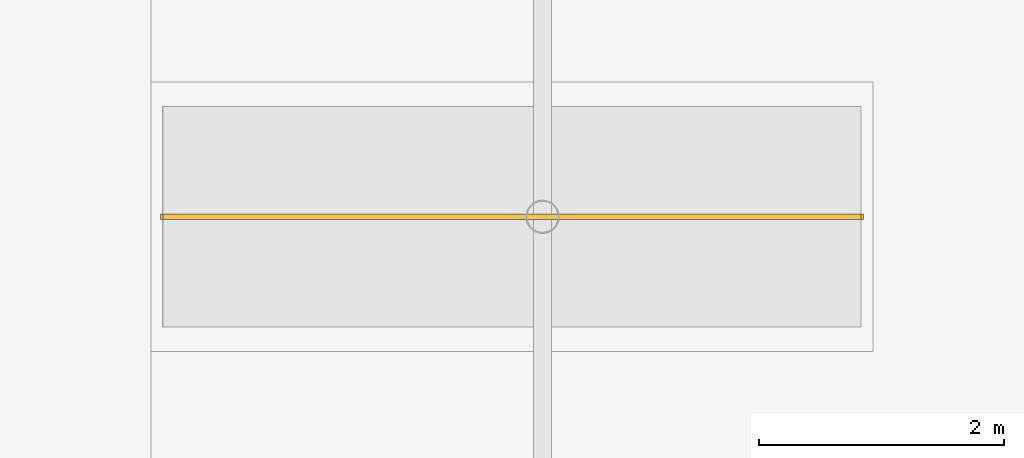
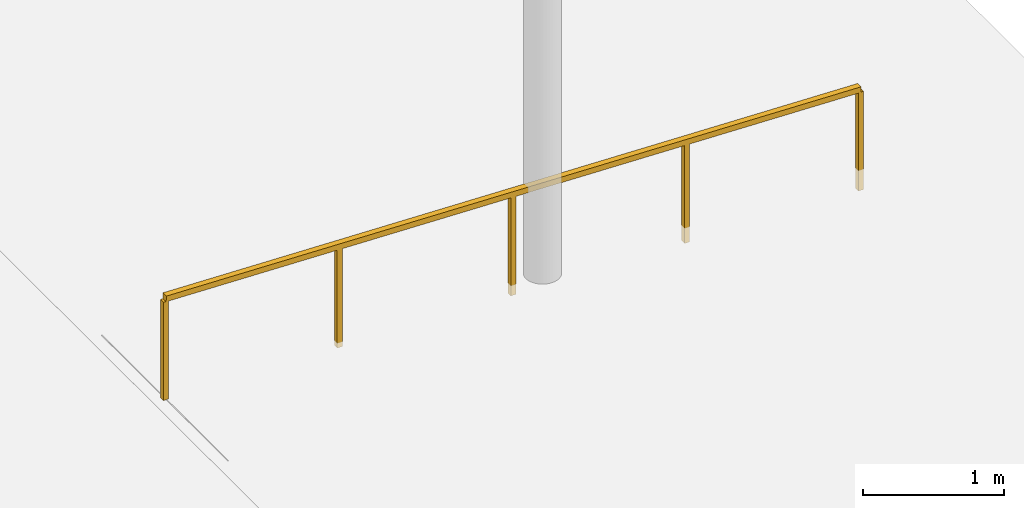
# One storey, part 45 of 49: 1 railing.
"""IFC4 building model written with IfcOpenShell, lengths in metres."""

import ifcopenshell
import ifcopenshell.guid

model = None  # the IFC model being written
_history = None  # IfcOwnerHistory: only IFC2X3 demands one
_inside = {}  # id of a spatial element -> (the spatial element, [elements in it])
_under = {}  # id of a project, library or spatial element -> (it, [spatial elements below it])
_declared = {}  # id of a project -> (the project, [libraries it declares])
_typed = {}  # id of a type object -> (the type object, [elements of that type])
_made_of = {}  # id of a material, layer set ... -> (it, [elements and type objects made of it])


def new_model(schema):
    """Start an empty IFC model of exactly this schema.

    Asked for "IFC4X3", IfcOpenShell would pick the latest addendum, in which some entities
    have other attributes; the version numbers below select the first issue.
    IFC2X3 requires an IfcOwnerHistory on every rooted entity: one is made here for all.
    """
    global model, _history
    if schema == "IFC4X3":
        model = ifcopenshell.file(schema_version=(4, 3, 0, 0))
    else:
        model = ifcopenshell.file(schema=schema)
    _inside.clear()
    _under.clear()
    _declared.clear()
    _typed.clear()
    _made_of.clear()
    _history = None
    if model.schema == "IFC2X3":
        org = make("IfcOrganization", Name="unknown")
        user = make(
            "IfcPersonAndOrganization",
            ThePerson=make("IfcPerson", FamilyName="unknown"),
            TheOrganization=org,
        )
        app = make(
            "IfcApplication",
            ApplicationDeveloper=org,
            Version="unknown",
            ApplicationFullName="unknown",
            ApplicationIdentifier="unknown",
        )
        _history = make(
            "IfcOwnerHistory",
            OwningUser=user,
            OwningApplication=app,
            ChangeAction="ADDED",
            CreationDate=0,
        )
    return model


def make(cls, **values):
    """One entity of the class cls with the attributes given. An attribute that is None is left unset."""
    return model.create_entity(
        cls, **{name: value for name, value in values.items() if value is not None}
    )


def rooted(cls, **values):
    """An entity with a GlobalId (a new one), such as an element, a storey or a relation."""
    return make(cls, GlobalId=ifcopenshell.guid.new(), OwnerHistory=_history, **values)


def si_unit(unit_type, name, prefix=None):
    """IfcSIUnit, for example si_unit("LENGTHUNIT", "METRE", prefix="MILLI")."""
    return make("IfcSIUnit", UnitType=unit_type, Prefix=prefix, Name=name)


def assignment(units):
    """IfcUnitAssignment: the units of a project."""
    return None if units is None else make("IfcUnitAssignment", Units=units)


def point(xyz):
    """IfcCartesianPoint."""
    return None if xyz is None else make("IfcCartesianPoint", Coordinates=xyz)


def direction(xyz):
    """IfcDirection."""
    return None if xyz is None else make("IfcDirection", DirectionRatios=xyz)


def frame(location, z_axis=None, x_axis=None):
    """IfcAxis2Placement3D, a coordinate frame: its origin and axes. An axis left out is left unset."""
    return make(
        "IfcAxis2Placement3D",
        Location=point(location),
        Axis=direction(z_axis),
        RefDirection=direction(x_axis),
    )


def frame_2d(location, x_axis=None):
    """IfcAxis2Placement2D, a coordinate frame in the plane: its origin and x axis."""
    return make(
        "IfcAxis2Placement2D", Location=point(location), RefDirection=direction(x_axis)
    )


def origin():
    """The frame at (0, 0, 0) with its axes left unset."""
    return frame((0.0, 0.0, 0.0))


def origin_2d():
    """The frame at (0, 0) in the plane with its x axis left unset."""
    return frame_2d((0.0, 0.0))


def place(relative_to, where):
    """IfcLocalPlacement: puts the frame where relative to a parent placement (None: the world)."""
    return make(
        "IfcLocalPlacement", PlacementRelTo=relative_to, RelativePlacement=where
    )


def context(
    kind, dimensions, precision=None, world=None, true_north=None, identifier=None
):
    """IfcGeometricRepresentationContext, for example the 3D "Model" context."""
    return make(
        "IfcGeometricRepresentationContext",
        ContextIdentifier=identifier,
        ContextType=kind,
        CoordinateSpaceDimension=dimensions,
        Precision=precision,
        WorldCoordinateSystem=world,
        TrueNorth=true_north,
    )


def subcontext(parent, identifier, kind, view, scale=None):
    """IfcGeometricRepresentationSubContext, for example "Body" below "Model"."""
    return make(
        "IfcGeometricRepresentationSubContext",
        ContextIdentifier=identifier,
        ContextType=kind,
        ParentContext=parent,
        TargetScale=scale,
        TargetView=view,
    )


def project(units=None, contexts=None):
    """IfcProject with its units and contexts."""
    return rooted(
        "IfcProject",
        Name="project",
        RepresentationContexts=contexts,
        UnitsInContext=assignment(units),
    )


def spatial(cls, under=None, at=None, **own):
    """A site, building, storey or space (cls), placed at a placement, below another one or the project."""
    s = rooted(cls, ObjectPlacement=at, **own)
    if under is not None:
        _under.setdefault(under.id(), (under, []))[1].append(s)
    return s


def profile(cls, at=None, kind="AREA", **sizes):
    """A parametric profile (cls). Its sizes go by their IFC names, for example OverallWidth=200.0."""
    return make(cls, ProfileType=kind, Position=at, **sizes)


def rectangle(**sizes):
    """IfcRectangleProfileDef."""
    return profile("IfcRectangleProfileDef", **sizes)


def extrude(swept, where, along, depth):
    """IfcExtrudedAreaSolid: the profile swept, set in the frame where, extruded along a direction by depth."""
    return make(
        "IfcExtrudedAreaSolid",
        SweptArea=swept,
        Position=where,
        ExtrudedDirection=direction(along),
        Depth=depth,
    )


def shape(context_of_items, identifier, shape_type, items):
    """IfcShapeRepresentation: the items that make up one representation, for example the "Body"."""
    return make(
        "IfcShapeRepresentation",
        ContextOfItems=context_of_items,
        RepresentationIdentifier=identifier,
        RepresentationType=shape_type,
        Items=items,
    )


def material(Name=None, Category=None):
    """IfcMaterial."""
    return make("IfcMaterial", Name=Name, Category=Category)


def made_of(thing, what):
    """Note that an element or type object is made of a material, layer set ...; save() writes the relation."""
    if what is not None:
        _made_of.setdefault(what.id(), (what, []))[1].append(thing)
    return thing


def type_object(cls, material=None, **own):
    """A type object (cls), such as IfcWallType, which elements share."""
    return made_of(rooted(cls, **own), material)


def element(
    cls,
    number,
    at=None,
    inside=None,
    cuts=None,
    type_object=None,
    material=None,
    context=None,
    identifier="Body",
    shape_type=None,
    held_by="IfcProductDefinitionShape",
    body=None,
    shapes=None,
    **own,
):
    """One element of the class cls, such as IfcWall. Its Tag is "e" and its number.

    at: its placement. inside: the storey or other place that contains it. cuts: it is an
    opening in that element (IfcRelVoidsElement). A single representation is given by context,
    identifier, shape_type and body (its items); several are given by shapes. held_by: the class
    of the entity that holds the representations. save() writes the other relations.
    """
    e = rooted(cls, Tag="e%d" % number, ObjectPlacement=at, **own)
    if body is not None:
        shapes = [shape(context, identifier, shape_type, body)]
    if shapes is not None:
        e.Representation = make(held_by, Representations=shapes)
    if inside is not None:
        _inside.setdefault(inside.id(), (inside, []))[1].append(e)
    if cuts is not None:
        rooted(
            "IfcRelVoidsElement", RelatingBuildingElement=cuts, RelatedOpeningElement=e
        )
    if type_object is not None:
        _typed.setdefault(type_object.id(), (type_object, []))[1].append(e)
    return made_of(e, material)


def aggregate(whole, parts):
    """IfcRelAggregates: a whole, such as a stair, and the parts it consists of."""
    return rooted("IfcRelAggregates", RelatingObject=whole, RelatedObjects=parts)


def save(model, path):
    """Write the relations noted so far, then the file.

    IfcRelAggregates (storeys below a building ...), IfcRelContainedInSpatialStructure (elements
    in a storey), IfcRelDefinesByType, IfcRelAssociatesMaterial and IfcRelDeclares: one each for
    every whole, place, type object, material and project.
    """
    for whole, parts in _under.values():
        aggregate(whole, parts)
    for where, things in _inside.values():
        rooted(
            "IfcRelContainedInSpatialStructure",
            RelatedElements=things,
            RelatingStructure=where,
        )
    for kind, things in _typed.values():
        rooted("IfcRelDefinesByType", RelatedObjects=things, RelatingType=kind)
    for what, things in _made_of.values():
        rooted("IfcRelAssociatesMaterial", RelatedObjects=things, RelatingMaterial=what)
    for by, libraries in _declared.values():
        rooted("IfcRelDeclares", RelatingContext=by, RelatedDefinitions=libraries)
    model.write(path)


model = new_model("IFC4")

# Units and contexts
model_context = context("Model", 3, precision=1e-05, world=origin(), true_north=direction((0.0, 1.0)))
body_context = subcontext(model_context, "Body", "Model", "MODEL_VIEW")
ifc_project = project(units=[si_unit("LENGTHUNIT", "METRE"), si_unit("AREAUNIT", "SQUARE_METRE"), si_unit("VOLUMEUNIT", "CUBIC_METRE"), si_unit("PLANEANGLEUNIT", "RADIAN"), si_unit("MASSUNIT", "GRAM", prefix="KILO")], contexts=[model_context])

# Site, building, storey
site_placement = place(None, origin())
site = spatial("IfcSite", under=ifc_project, at=site_placement, CompositionType="ELEMENT")
building_placement = place(site_placement, origin())
building = spatial("IfcBuilding", under=site, at=building_placement, Name="Sarneth Arch Tower", CompositionType="ELEMENT")
storey_placement = place(building_placement, origin())
storey = spatial("IfcBuildingStorey", under=building, at=storey_placement, Name="L00", CompositionType="ELEMENT", Elevation=0.0)

# Railing
ifc_material = material(Name="Brushed Stainless Steel 304 tubular handrail", Category="steel")
railing_type = type_object("IfcRailingType", Name="RAIL-HANDRAIL-900", PredefinedType="HANDRAIL", material=ifc_material)
railing_placement = place(storey_placement, frame((93.800048828125, 25.0, -0.179931640625)))
element("IfcRailing", 1, at=railing_placement, inside=storey, type_object=railing_type, Name="Ramp handrail RMP-PLAZA-E", PredefinedType="HANDRAIL", context=body_context, shape_type="SweptSolid", body=[
    extrude(rectangle(XDim=0.048095703125, YDim=0.048095703125, at=origin_2d()), frame((0.0, 0.0, 0.8759765625), z_axis=(-0.999502127219, 0.0, 0.031551508449), x_axis=(0.0, -1.0, 0.0)), (0.0, 0.0, 1.0), 5.702880859375),
    extrude(rectangle(XDim=0.0419921875, YDim=0.0419921875, at=origin_2d()), origin(), (0.0, 0.0, 1.0), 0.851806640625),
    extrude(rectangle(XDim=0.0419921875, YDim=0.0419921875, at=origin_2d()), frame((-1.425048828125, 0.0, 0.044921875)), (0.0, 0.0, 1.0), 0.851806640625),
    extrude(rectangle(XDim=0.0419921875, YDim=0.0419921875, at=origin_2d()), frame((-2.85009765625, 0.0, 0.08984375)), (0.0, 0.0, 1.0), 0.851806640625),
    extrude(rectangle(XDim=0.0419921875, YDim=0.0419921875, at=origin_2d()), frame((-4.27490234375, 0.0, 0.135009765625)), (0.0, 0.0, 1.0), 0.851806640625),
    extrude(rectangle(XDim=0.0419921875, YDim=0.0419921875, at=origin_2d()), frame((-5.699951171875, 0.0, 0.179931640625)), (0.0, 0.0, 1.0), 0.851806640625),
])

save(model, "model.ifc")
